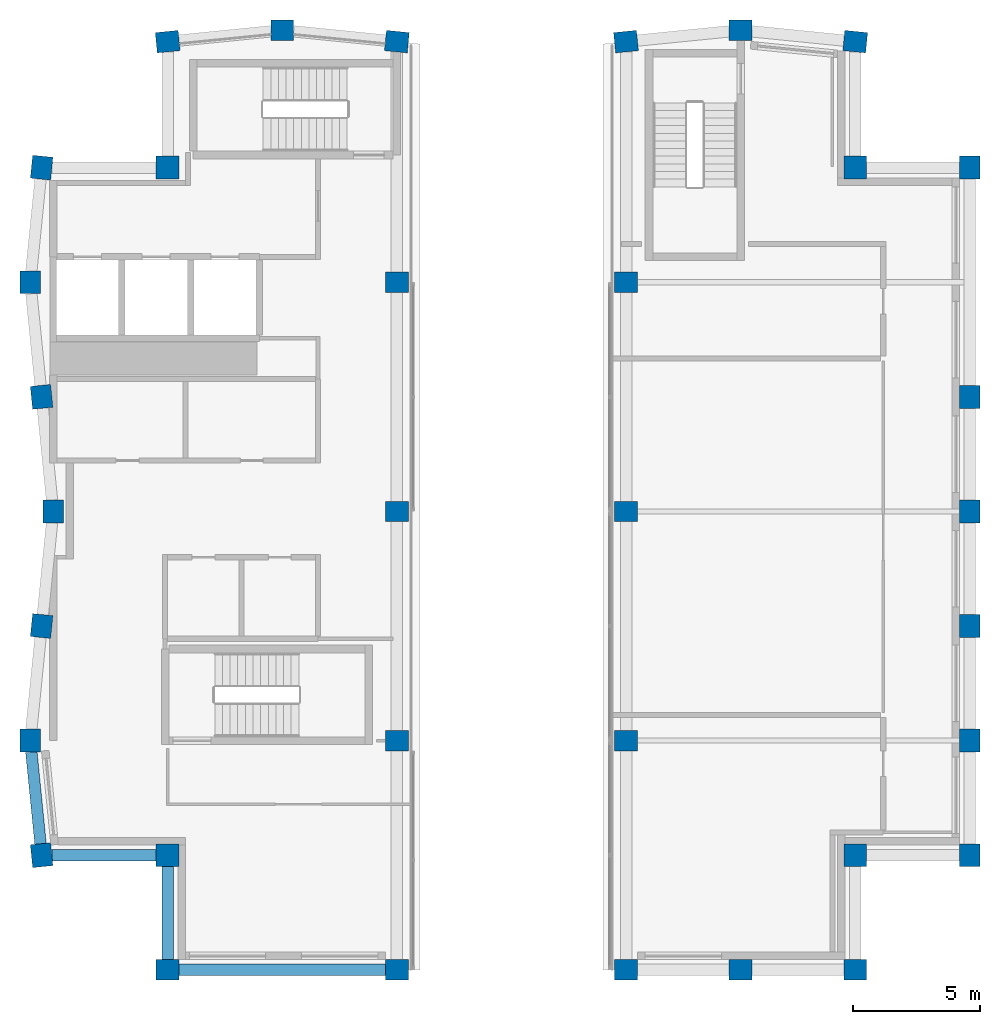
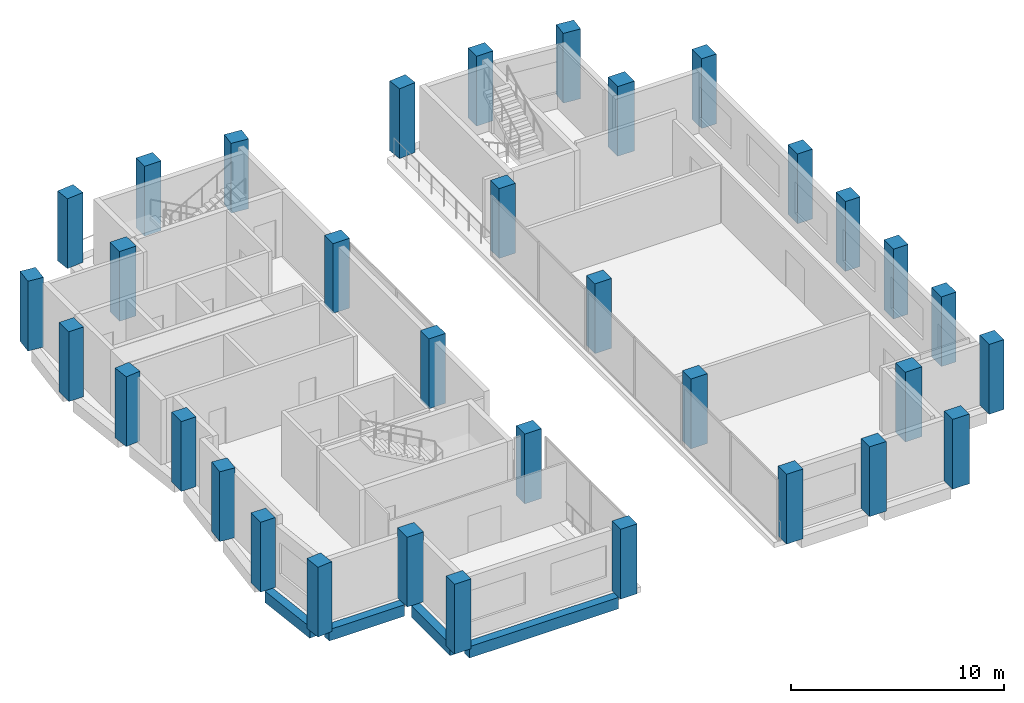
# One storey, part 1 of 9: 34 columns, 4 beams.
"""IFC4 building model written with IfcOpenShell, lengths in metres."""

from ifc_helpers import new_model, si_unit, direction, frame, origin, origin_2d, place, context, subcontext, project, spatial, rectangle, extrude, material, material_profile, profile_set, type_object, element, save


model = new_model("IFC4")

# Units and contexts
model_context = context("Model", 3, precision=1e-05, world=origin(), true_north=direction((0.0, 1.0)))
body_context = subcontext(model_context, "Body", "Model", "MODEL_VIEW")
ifc_project = project(units=[si_unit("LENGTHUNIT", "METRE"), si_unit("AREAUNIT", "SQUARE_METRE"), si_unit("VOLUMEUNIT", "CUBIC_METRE"), si_unit("PLANEANGLEUNIT", "RADIAN"), si_unit("MASSUNIT", "GRAM", prefix="KILO")], contexts=[model_context])

# Site, building, storey
site_placement = place(None, origin())
site = spatial("IfcSite", under=ifc_project, at=site_placement, CompositionType="ELEMENT")
building_placement = place(site_placement, origin())
building = spatial("IfcBuilding", under=site, at=building_placement, Name="Brondeck Convention Tower", CompositionType="ELEMENT")
storey_placement = place(building_placement, frame((0.0, 0.0, 286.800048828125)))
storey = spatial("IfcBuildingStorey", under=building, at=storey_placement, Name="L71", CompositionType="ELEMENT", Elevation=286.800048828125)

# Columns
ifc_material = material(Name="Concrete C50/60", Category="concrete")
ifc_material_profile_1 = material_profile(ifc_material, rectangle(XDim=0.89990234375, YDim=0.89990234375, at=origin_2d()), Name="Corner column 900x900 Concrete C50/60")
ifc_profile_set_1 = profile_set([ifc_material_profile_1], Name="Concrete C50/60")
column_type_1 = type_object("IfcColumnType", Name="Corner column 900x900 Concrete C50/60", PredefinedType="COLUMN", material=ifc_profile_set_1)
for number, where, z_axis, x_axis, name in (
    (1, (4.5, 31.5, 0.0), (0.0, 0.0, 1.0), (1.0, 0.0, 0.0), "STR-COL-L71-NC-KSW"),
    (2, (4.5, 58.5, 0.0), (0.0, 0.0, 1.0), (1.0, 0.0, 0.0), "STR-COL-L71-NC-NW"),
    (3, (31.5, 31.5, 0.0), (0.0, 0.0, 1.0), (1.0, 0.0, 0.0), "STR-COL-L71-NC-KSE"),
    (4, (31.5, 58.5, 0.0), (0.0, 0.0, 1.0), (1.0, 0.0, 0.0), "STR-COL-L71-NC-KNE"),
):
    element("IfcColumn", number, at=place(storey_placement, frame(where, z_axis=z_axis, x_axis=x_axis)), inside=storey, type_object=column_type_1, Name=name, PredefinedType="COLUMN", context=body_context, shape_type="SweptSolid", body=[
        extrude(rectangle(XDim=0.89990234375, YDim=0.89990234375, at=origin_2d()), origin(), (0.0, 0.0, 1.0), 4.0),
    ])
ifc_material_profile_2 = material_profile(ifc_material, rectangle(XDim=0.89990234375, YDim=0.800048828125, at=origin_2d()), Name="Crown pier 900x800 Concrete C50/60")
ifc_profile_set_2 = profile_set([ifc_material_profile_2], Name="Concrete C50/60")
column_type_2 = type_object("IfcColumnType", Name="Crown pier 900x800 Concrete C50/60", PredefinedType="COLUMN", material=ifc_profile_set_2)
for number, where, z_axis, x_axis, name in (
    (5, (4.5, 27.0, 0.0), (0.0, 0.0, 1.0), (1.0, 0.0, 0.0), "STR-COL-L71-PC-K-S-01"),
    (6, (13.5, 27.0, 0.0), (0.0, 0.0, 1.0), (1.0, 0.0, 0.0), "STR-COL-L71-PC-K-S-03"),
    (7, (13.5, 36.0, 0.0), (0.0, 0.0, 1.0), (1.0, 0.0, 0.0), "STR-COL-L71-PC-SLOT-W-01"),
    (8, (13.5, 45.0, 0.0), (0.0, 0.0, 1.0), (1.0, 0.0, 0.0), "STR-COL-L71-PC-SLOT-W-02"),
    (9, (13.5, 54.0, 0.0), (0.0, 0.0, 1.0), (1.0, 0.0, 0.0), "STR-COL-L71-PC-SLOT-W-03"),
    (10, (13.5, 63.449951171875, 0.0), (0.0, 0.0, 1.0), (-0.995037178292, 0.0995038382, 0.0), "STR-COL-L71-PC-A-N-03"),
    (11, (9.0, 63.89990234375, 0.0), (0.0, 0.0, 1.0), (-1.0, 0.0, 0.0), "STR-COL-L71-PC-A-N-02"),
    (12, (4.5, 63.449951171875, 0.0), (0.0, 0.0, 1.0), (-0.995037178292, -0.0995038382, 0.0), "STR-COL-L71-PC-A-N-01"),
    (13, (-0.449951171875, 58.5, 0.0), (0.0, 0.0, 1.0), (-0.0995038382, -0.995037178292, 0.0), "STR-COL-L71-PC-B-W-01"),
    (14, (-0.89990234375, 54.0, 0.0), (0.0, 0.0, 1.0), (0.0, -1.0, 0.0), "STR-COL-L71-PC-B-W-02"),
    (15, (-0.449951171875, 49.5, 0.0), (0.0, 0.0, 1.0), (0.0995038382, -0.995037178292, 0.0), "STR-COL-L71-PC-B-W-03"),
    (16, (0.0, 45.0, 0.0), (0.0, 0.0, 1.0), (0.0, -1.0, 0.0), "STR-COL-L71-PC-B-W-04"),
    (17, (-0.449951171875, 40.5, 0.0), (0.0, 0.0, 1.0), (-0.0995038382, -0.995037178292, 0.0), "STR-COL-L71-PC-B-W-05"),
    (18, (-0.89990234375, 36.0, 0.0), (0.0, 0.0, 1.0), (0.0, -1.0, 0.0), "STR-COL-L71-PC-B-W-06"),
    (19, (-0.449951171875, 31.5, 0.0), (0.0, 0.0, 1.0), (0.0995038382, -0.995037178292, 0.0), "STR-COL-L71-PC-B-W-07"),
    (20, (36.0, 31.5, 0.0), (0.0, 0.0, 1.0), (0.0, 1.0, 0.0), "STR-COL-L71-PC-K-E-01"),
    (21, (36.0, 36.0, 0.0), (0.0, 0.0, 1.0), (0.0, 1.0, 0.0), "STR-COL-L71-PC-K-E-02"),
    (22, (36.0, 40.5, 0.0), (0.0, 0.0, 1.0), (0.0, 1.0, 0.0), "STR-COL-L71-PC-K-E-03"),
    (23, (36.0, 45.0, 0.0), (0.0, 0.0, 1.0), (0.0, 1.0, 0.0), "STR-COL-L71-PC-K-E-04"),
    (24, (36.0, 49.5, 0.0), (0.0, 0.0, 1.0), (0.0, 1.0, 0.0), "STR-COL-L71-PC-K-E-05"),
    (25, (36.0, 58.5, 0.0), (0.0, 0.0, 1.0), (0.0, 1.0, 0.0), "STR-COL-L71-PC-K-E-07"),
    (26, (31.5, 63.449951171875, 0.0), (0.0, 0.0, 1.0), (-0.995037178292, 0.0995038382, 0.0), "STR-COL-L71-PC-A-N-07"),
    (27, (27.0, 63.89990234375, 0.0), (0.0, 0.0, 1.0), (-1.0, 0.0, 0.0), "STR-COL-L71-PC-A-N-06"),
    (28, (22.5, 63.449951171875, 0.0), (0.0, 0.0, 1.0), (-0.995037178292, -0.0995038382, 0.0), "STR-COL-L71-PC-A-N-05"),
    (29, (22.5, 54.0, 0.0), (0.0, 0.0, 1.0), (1.0, 0.0, 0.0), "STR-COL-L71-PC-SLOT-E-01"),
    (30, (22.5, 45.0, 0.0), (0.0, 0.0, 1.0), (1.0, 0.0, 0.0), "STR-COL-L71-PC-SLOT-E-02"),
    (31, (22.5, 36.0, 0.0), (0.0, 0.0, 1.0), (1.0, 0.0, 0.0), "STR-COL-L71-PC-SLOT-E-03"),
    (32, (22.5, 27.0, 0.0), (0.0, 0.0, 1.0), (1.0, 0.0, 0.0), "STR-COL-L71-PC-K-S-01-22x27"),
    (33, (27.0, 27.0, 0.0), (0.0, 0.0, 1.0), (1.0, 0.0, 0.0), "STR-COL-L71-PC-K-S-02"),
    (34, (31.5, 27.0, 0.0), (0.0, 0.0, 1.0), (1.0, 0.0, 0.0), "STR-COL-L71-PC-K-S-03-32x27"),
):
    element("IfcColumn", number, at=place(storey_placement, frame(where, z_axis=z_axis, x_axis=x_axis)), inside=storey, type_object=column_type_2, Name=name, PredefinedType="COLUMN", context=body_context, shape_type="SweptSolid", body=[
        extrude(rectangle(XDim=0.89990234375, YDim=0.800048828125, at=origin_2d()), origin(), (0.0, 0.0, 1.0), 4.0),
    ])

# Beams
ifc_material_profile_3 = material_profile(ifc_material, rectangle(XDim=0.449951171875, YDim=0.64990234375, at=origin_2d()), Name="Precast spandrel 450x650 Concrete C50/60")
ifc_profile_set_3 = profile_set([ifc_material_profile_3], Name="Concrete C50/60")
beam_type = type_object("IfcBeamType", Name="Precast spandrel 450x650 Concrete C50/60", PredefinedType="SPANDREL", material=ifc_profile_set_3)
beam_1_placement = place(storey_placement, frame((4.949951171875, 27.0, -0.324951171875), z_axis=(1.0, 0.0, 0.0), x_axis=(0.0, 1.0, 0.0)))
element("IfcBeam", 35, at=beam_1_placement, inside=storey, type_object=beam_type, Name="STR-SP-L71K1-001", PredefinedType="SPANDREL", context=body_context, shape_type="SweptSolid", body=[
    extrude(rectangle(XDim=0.449951171875, YDim=0.64990234375, at=origin_2d()), origin(), (0.0, 0.0, 1.0), 8.10009765625),
])
beam_2_placement = place(storey_placement, frame((-0.85498046875, 35.550048828125, -0.324951171875), z_axis=(0.099470334057, -0.995040528141, 0.0), x_axis=(0.995040528141, 0.099470334057, 0.0)))
element("IfcBeam", 36, at=beam_2_placement, inside=storey, type_object=beam_type, Name="STR-SP-L71K1-015", PredefinedType="SPANDREL", context=body_context, shape_type="SweptSolid", body=[
    extrude(rectangle(XDim=0.449951171875, YDim=0.64990234375, at=origin_2d()), origin(), (0.0, 0.0, 1.0), 3.620361328125),
])
beam_3_placement = place(storey_placement, frame((-0.048095703125, 31.5, -0.324951171875), z_axis=(1.0, 0.0, 0.0), x_axis=(0.0, 1.0, 0.0)))
element("IfcBeam", 37, at=beam_3_placement, inside=storey, type_object=beam_type, Name="STR-SP-L71K1-016", PredefinedType="SPANDREL", context=body_context, shape_type="SweptSolid", body=[
    extrude(rectangle(XDim=0.449951171875, YDim=0.64990234375, at=origin_2d()), origin(), (0.0, 0.0, 1.0), 4.09814453125),
])
beam_4_placement = place(storey_placement, frame((4.5, 31.050048828125, -0.324951171875), z_axis=(0.0, -1.0, 0.0), x_axis=(1.0, 0.0, 0.0)))
element("IfcBeam", 38, at=beam_4_placement, inside=storey, type_object=beam_type, Name="STR-SP-L71K1-017", PredefinedType="SPANDREL", context=body_context, shape_type="SweptSolid", body=[
    extrude(rectangle(XDim=0.449951171875, YDim=0.64990234375, at=origin_2d()), origin(), (0.0, 0.0, 1.0), 3.650146484375),
])

save(model, "model.ifc")
